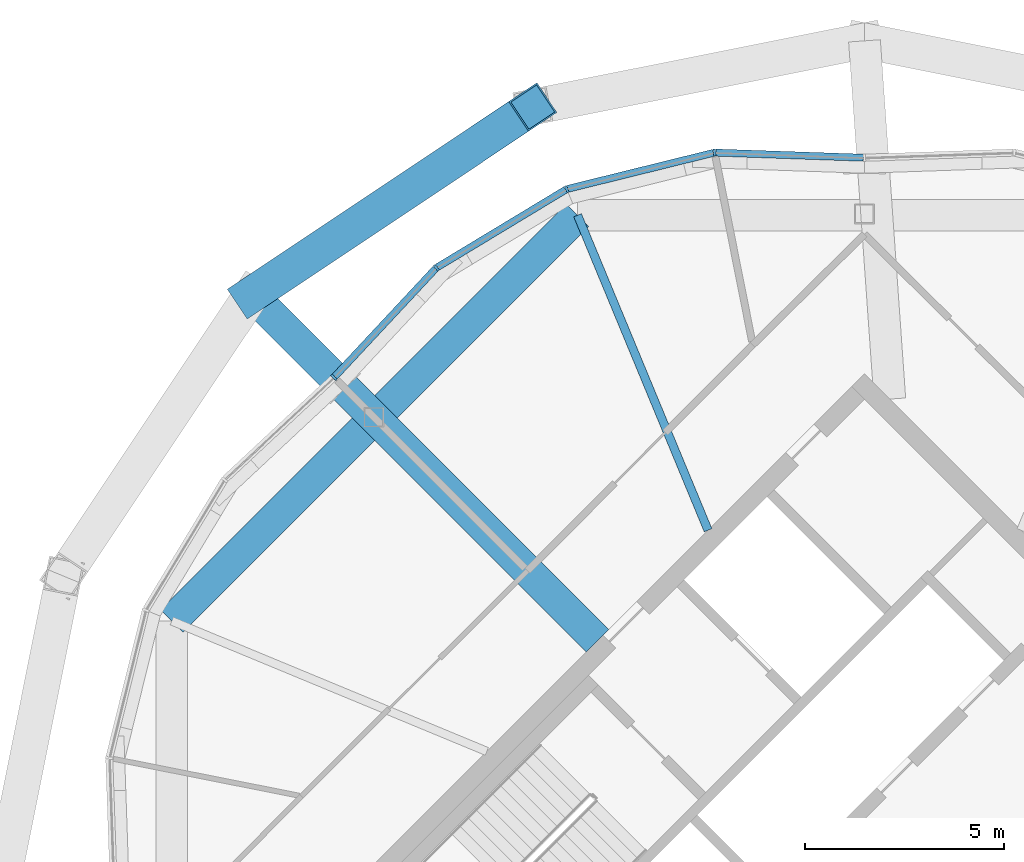
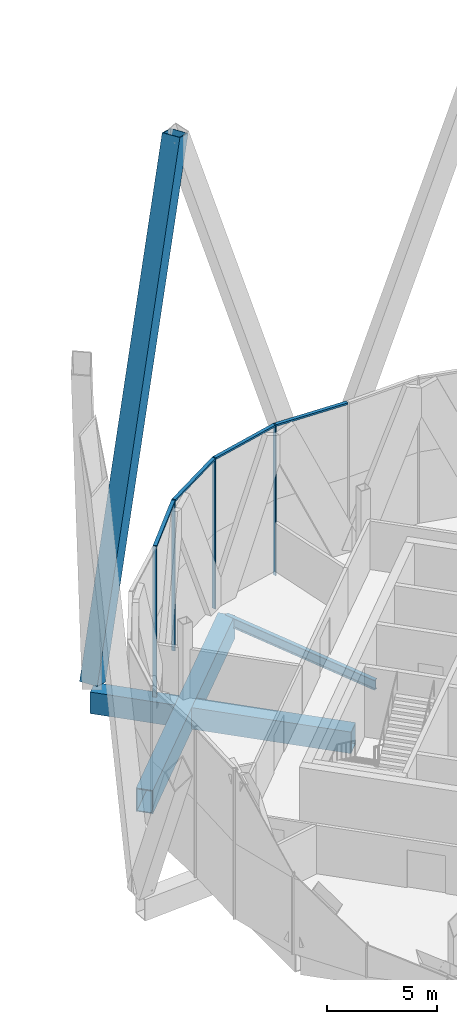
# One storey, part 22 of 38: 9 members, 3 beams, 1 element without a shape of its own.
"""IFC4 building model written with IfcOpenShell, lengths in metres."""

from ifc_helpers import new_model, si_unit, direction, frame, origin, origin_2d, place, context, subcontext, project, spatial, rectangle, hollow_rectangle, i_section, extrude, material, material_profile, profile_set, type_object, element, aggregate, save


model = new_model("IFC4")

# Units and contexts
model_context = context("Model", 3, precision=1e-05, world=origin(), true_north=direction((0.0, 1.0)))
body_context = subcontext(model_context, "Body", "Model", "MODEL_VIEW")
ifc_project = project(units=[si_unit("LENGTHUNIT", "METRE"), si_unit("AREAUNIT", "SQUARE_METRE"), si_unit("VOLUMEUNIT", "CUBIC_METRE"), si_unit("PLANEANGLEUNIT", "RADIAN"), si_unit("MASSUNIT", "GRAM", prefix="KILO")], contexts=[model_context])

# Site, building, storey
site_placement = place(None, origin())
site = spatial("IfcSite", under=ifc_project, at=site_placement, CompositionType="ELEMENT")
building_placement = place(site_placement, origin())
building = spatial("IfcBuilding", under=site, at=building_placement, Name="Ogive Gate Towers", CompositionType="ELEMENT")
storey_placement = place(building_placement, frame((0.0, 0.0, 268.800048828125)))
storey = spatial("IfcBuildingStorey", under=building, at=storey_placement, Name="L63", CompositionType="ELEMENT", Elevation=268.800048828125)

# Member
ifc_material_1 = material(Name="Steel SM460", Category="steel")
ifc_material_profile_1 = material_profile(ifc_material_1, hollow_rectangle(XDim=0.89990234375, YDim=0.89990234375, WallThickness=0.0400390625, at=origin_2d()), Name="BX 900x900x40")
ifc_profile_set_1 = profile_set([ifc_material_profile_1], Name="Steel SM460")
member_type_1 = type_object("IfcMemberType", Name="Diagrid diagonal BX 900x900x40", PredefinedType="BRACE", material=ifc_profile_set_1)
member_1_placement = place(storey_placement, frame((20.577880859375, 15.422119140625, 0.0), z_axis=(0.266099402159, 0.177577062234, 0.947447885184), x_axis=(-0.555084174574, 0.831794180755, 0.0)))
element("IfcMember", 1, at=member_1_placement, inside=storey, type_object=member_type_1, Name="T2/L63/SDG007", PredefinedType="BRACE", context=body_context, shape_type="SweptSolid", body=[
    extrude(hollow_rectangle(XDim=0.89990234375, YDim=0.89990234375, WallThickness=0.0400390625, at=origin_2d()), origin(), (0.0, 0.0, 1.0), 26.59765625),
])

# Beams
ifc_material_profile_2 = material_profile(ifc_material_1, hollow_rectangle(XDim=0.800048828125, YDim=1.300048828125, WallThickness=0.050048828125, at=origin_2d()), Name="BX 1300x800x50")
ifc_profile_set_2 = profile_set([ifc_material_profile_2], Name="Steel SM460")
beam_type_1 = type_object("IfcBeamType", Name="Edge girder BX 1300x800x50", PredefinedType="BEAM", material=ifc_profile_set_2)
beam_1_placement = place(storey_placement, frame((28.782470703125, 17.42431640625, -0.949951171875), z_axis=(-0.707106781187, -0.707106781187, 0.0), x_axis=(0.707106781187, -0.707106781187, 0.0)))
element("IfcBeam", 2, at=beam_1_placement, inside=storey, type_object=beam_type_1, Name="T2/L63/SBM023", PredefinedType="BEAM", context=body_context, shape_type="SweptSolid", body=[
    extrude(hollow_rectangle(XDim=0.800048828125, YDim=1.300048828125, WallThickness=0.050048828125, at=origin_2d()), origin(), (0.0, 0.0, 1.0), 14.4345703125),
])
ifc_material_2 = material(Name="Steel SM355", Category="steel")
ifc_material_profile_3 = material_profile(ifc_material_2, i_section(OverallWidth=0.2099609375, OverallDepth=0.550048828125, WebThickness=0.010986328125, FlangeThickness=0.01708984375, FilletRadius=0.02392578125, at=origin_2d()), Name="IPE 550")
ifc_profile_set_3 = profile_set([ifc_material_profile_3], Name="Steel SM355")
beam_type_2 = type_object("IfcBeamType", Name="Radial floor beam IPE 550", PredefinedType="BEAM", material=ifc_profile_set_3)
beam_2_placement = place(storey_placement, frame((32.06494140625, 9.5, -0.574951171875), z_axis=(-0.382694515667, 0.923874941579, 0.0), x_axis=(-0.923874941579, -0.382694515667, 0.0)))
element("IfcBeam", 3, at=beam_2_placement, inside=storey, type_object=beam_type_2, Name="T2/L63/SBM013", PredefinedType="BEAM", context=body_context, shape_type="SweptSolid", body=[
    extrude(i_section(OverallWidth=0.2099609375, OverallDepth=0.550048828125, WebThickness=0.010986328125, FlangeThickness=0.01708984375, FilletRadius=0.02392578125, at=origin_2d()), origin(), (0.0, 0.0, 1.0), 8.5771484375),
])

# Curtain wall, members
ifc_material_3 = material(Name="Pale metal aluminium", Category="aluminium")
curtain_wall_type = type_object("IfcCurtainWallType", Name="Tower unitised wall, high zone", PredefinedType="NOTDEFINED", material=ifc_material_3)
curtain_wall_placement = place(storey_placement, origin())
curtain_wall = element("IfcCurtainWall", 4, at=curtain_wall_placement, inside=storey, type_object=curtain_wall_type, Name="CW2 T2 ECW05", PredefinedType="NOTDEFINED")
ifc_material_profile_4 = material_profile(ifc_material_3, rectangle(XDim=0.179931640625, YDim=0.06005859375, at=origin_2d()), Name="60 x 180 aluminium box")
ifc_profile_set_4 = profile_set([ifc_material_profile_4], Name="Pale metal aluminium")
member_type_2 = type_object("IfcMemberType", Name="Tower unitised wall, high zone mullion 60 x 180", PredefinedType="MULLION", material=ifc_profile_set_4)
member_2_placement = place(storey_placement, frame((22.656494140625, 13.343017578125, -0.300048828125), z_axis=(0.0, 0.0, 1.0), x_axis=(0.73111559473, -0.682253609109, 0.0)))
member_2 = element("IfcMember", 5, at=member_2_placement, type_object=member_type_2, Name="CW2 mullion", PredefinedType="MULLION", context=body_context, shape_type="SweptSolid", body=[
    extrude(rectangle(XDim=0.179931640625, YDim=0.06005859375, at=origin_2d()), origin(), (0.0, 0.0, 1.0), 8.39990234375),
])
member_3_placement = place(storey_placement, frame((25.229736328125, 16.100341796875, -0.300048828125), z_axis=(0.0, 0.0, 1.0), x_axis=(0.630039000759, -0.776563492267, 0.0)))
member_3 = element("IfcMember", 6, at=member_3_placement, type_object=member_type_2, Name="CW2 mullion", PredefinedType="MULLION", context=body_context, shape_type="SweptSolid", body=[
    extrude(rectangle(XDim=0.179931640625, YDim=0.06005859375, at=origin_2d()), origin(), (0.0, 0.0, 1.0), 8.39990234375),
])
member_4_placement = place(storey_placement, frame((28.510498046875, 18.081298828125, -0.300048828125), z_axis=(0.0, 0.0, 1.0), x_axis=(0.382683432365, -0.923879532511, 0.0)))
member_4 = element("IfcMember", 7, at=member_4_placement, type_object=member_type_2, Name="CW2 mullion", PredefinedType="MULLION", context=body_context, shape_type="SweptSolid", body=[
    extrude(rectangle(XDim=0.179931640625, YDim=0.06005859375, at=origin_2d()), origin(), (0.0, 0.0, 1.0), 8.39990234375),
])
member_5_placement = place(storey_placement, frame((32.231201171875, 19.000244140625, -0.300048828125), z_axis=(0.0, 0.0, 1.0), x_axis=(0.103608461555, -0.994618161253, 0.0)))
member_5 = element("IfcMember", 8, at=member_5_placement, type_object=member_type_2, Name="CW2 mullion", PredefinedType="MULLION", context=body_context, shape_type="SweptSolid", body=[
    extrude(rectangle(XDim=0.179931640625, YDim=0.06005859375, at=origin_2d()), origin(), (0.0, 0.0, 1.0), 8.39990234375),
])
ifc_material_profile_5 = material_profile(ifc_material_3, rectangle(XDim=0.179931640625, YDim=0.10009765625, at=origin_2d()), Name="100 x 180 aluminium box")
ifc_profile_set_5 = profile_set([ifc_material_profile_5], Name="Pale metal aluminium")
member_type_3 = type_object("IfcMemberType", Name="Tower unitised wall, high zone transom 100 x 180", PredefinedType="USERDEFINED", material=ifc_profile_set_5)
member_6_placement = place(storey_placement, frame((22.677001953125, 13.364990234375, 8.050048828125), z_axis=(0.682271356681, 0.731099032863, 0.0), x_axis=(-0.731099032863, 0.682271356681, 0.0)))
member_6 = element("IfcMember", 9, at=member_6_placement, type_object=member_type_3, Name="CW2 transom", ObjectType="TRANSOM", PredefinedType="USERDEFINED", context=body_context, shape_type="SweptSolid", body=[
    extrude(rectangle(XDim=0.179931640625, YDim=0.10009765625, at=origin_2d()), origin(), (0.0, 0.0, 1.0), 3.7099609375),
])
member_7_placement = place(storey_placement, frame((25.256591796875, 16.11669921875, 8.050048828125), z_axis=(0.85603794894, 0.516912981046, 0.0), x_axis=(-0.516912981046, 0.85603794894, 0.0)))
member_7 = element("IfcMember", 10, at=member_7_placement, type_object=member_type_3, Name="CW2 transom", ObjectType="TRANSOM", PredefinedType="USERDEFINED", context=body_context, shape_type="SweptSolid", body=[
    extrude(rectangle(XDim=0.179931640625, YDim=0.10009765625, at=origin_2d()), origin(), (0.0, 0.0, 1.0), 3.76953125),
])
member_8_placement = place(storey_placement, frame((28.541015625, 18.089111328125, 8.050048828125), z_axis=(0.9708319054, 0.239761155023, 0.0), x_axis=(-0.239761155023, 0.9708319054, 0.0)))
member_8 = element("IfcMember", 11, at=member_8_placement, type_object=member_type_3, Name="CW2 transom", ObjectType="TRANSOM", PredefinedType="USERDEFINED", context=body_context, shape_type="SweptSolid", body=[
    extrude(rectangle(XDim=0.179931640625, YDim=0.10009765625, at=origin_2d()), origin(), (0.0, 0.0, 1.0), 3.76953125),
])
member_9_placement = place(storey_placement, frame((32.262451171875, 18.999267578125, 8.050048828125), z_axis=(0.999403104292, -0.034546130482, 0.0), x_axis=(0.034546130482, 0.999403104292, 0.0)))
member_9 = element("IfcMember", 12, at=member_9_placement, type_object=member_type_3, Name="CW2 transom", ObjectType="TRANSOM", PredefinedType="USERDEFINED", context=body_context, shape_type="SweptSolid", body=[
    extrude(rectangle(XDim=0.179931640625, YDim=0.10009765625, at=origin_2d()), origin(), (0.0, 0.0, 1.0), 3.710205078125),
])
aggregate(curtain_wall, [member_2, member_3, member_6, member_4, member_7, member_5, member_8, member_9])

# Beam
ifc_material_profile_6 = material_profile(ifc_material_1, hollow_rectangle(XDim=0.800048828125, YDim=1.199951171875, WallThickness=0.050048828125, at=origin_2d()), Name="BX 1200x800x50")
ifc_profile_set_6 = profile_set([ifc_material_profile_6], Name="Steel SM460")
beam_type_3 = type_object("IfcBeamType", Name="Transfer radial beam BX 1200x800x50", PredefinedType="BEAM", material=ifc_profile_set_6)
beam_3_placement = place(storey_placement, frame((29.282470703125, 6.717529296875, -0.900146484375), z_axis=(-0.707106781187, 0.707106781187, 0.0), x_axis=(-0.707106781187, -0.707106781187, 0.0)))
element("IfcBeam", 13, at=beam_3_placement, inside=storey, type_object=beam_type_3, Name="T2/L63/SBM014", PredefinedType="BEAM", context=body_context, shape_type="SweptSolid", body=[
    extrude(hollow_rectangle(XDim=0.800048828125, YDim=1.199951171875, WallThickness=0.050048828125, at=origin_2d()), origin(), (0.0, 0.0, 1.0), 12.31005859375),
])

save(model, "model.ifc")
